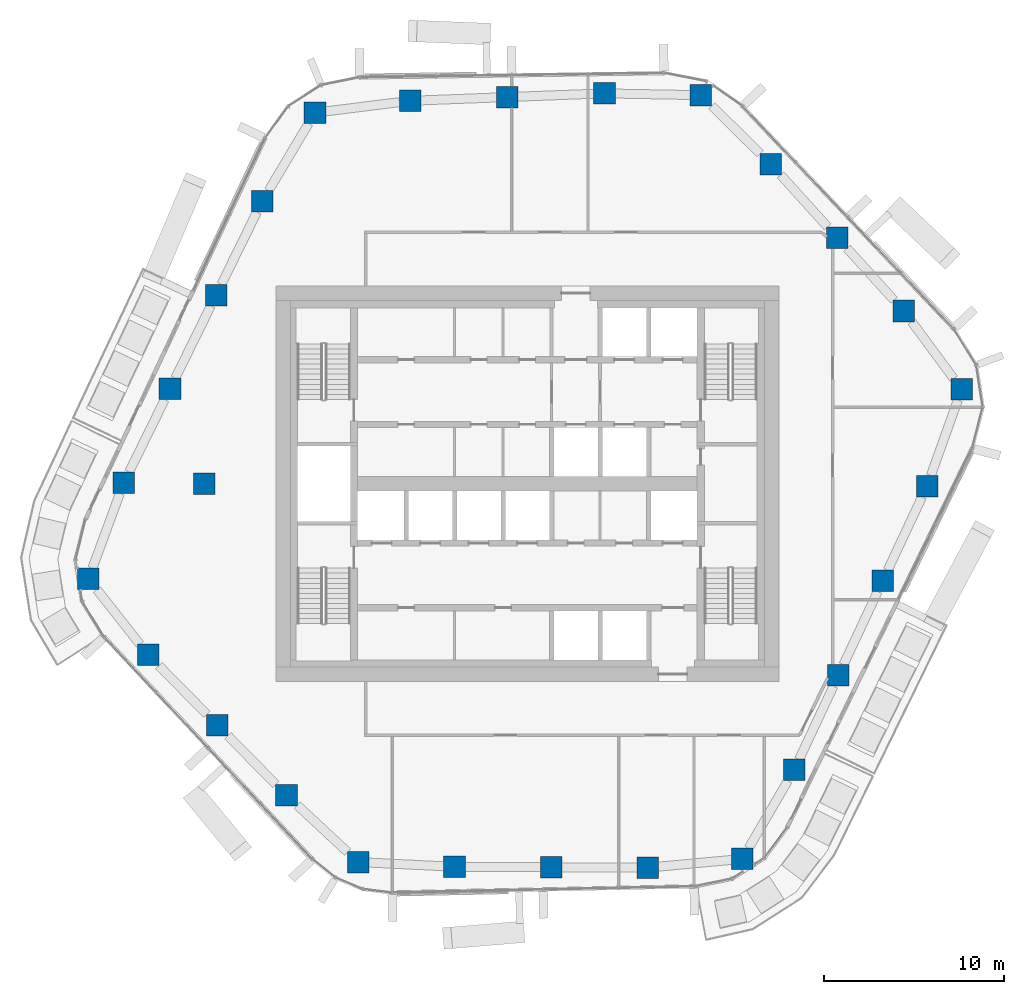
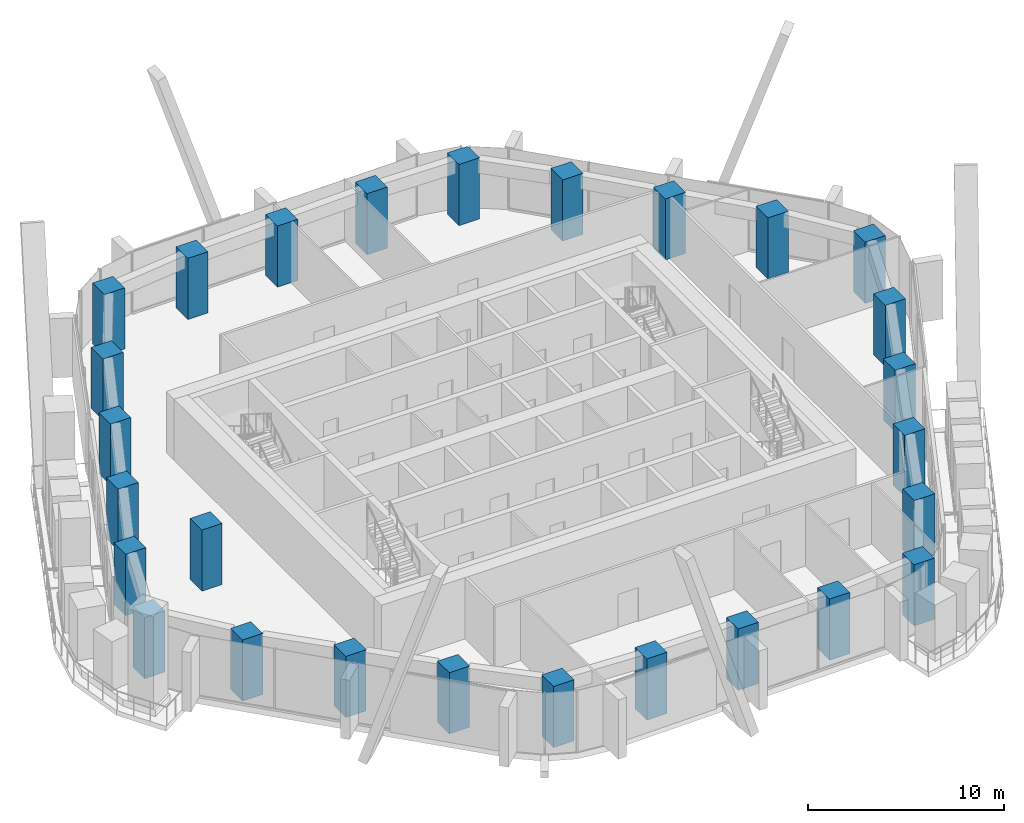
# One storey, part 1 of 18: 27 columns.
"""IFC4 building model written with IfcOpenShell, lengths in metres."""

from ifc_helpers import new_model, si_unit, direction, frame, origin, origin_2d, place, context, subcontext, project, spatial, rectangle, extrude, material, material_profile, profile_set, type_object, element, save


model = new_model("IFC4")

# Units and contexts
model_context = context("Model", 3, precision=1e-05, world=origin(), true_north=direction((0.0, 1.0)))
body_context = subcontext(model_context, "Body", "Model", "MODEL_VIEW")
ifc_project = project(units=[si_unit("LENGTHUNIT", "METRE"), si_unit("AREAUNIT", "SQUARE_METRE"), si_unit("VOLUMEUNIT", "CUBIC_METRE"), si_unit("PLANEANGLEUNIT", "RADIAN"), si_unit("MASSUNIT", "GRAM", prefix="KILO")], contexts=[model_context])

# Site, building, storey
site_placement = place(None, origin())
site = spatial("IfcSite", under=ifc_project, at=site_placement, CompositionType="ELEMENT")
building_placement = place(site_placement, origin())
building = spatial("IfcBuilding", under=site, at=building_placement, Name="Dongbaek Canopy Tower", CompositionType="ELEMENT")
storey_placement = place(building_placement, frame((0.0, 0.0, 167.0)))
storey = spatial("IfcBuildingStorey", under=building, at=storey_placement, Name="L36", CompositionType="ELEMENT", Elevation=167.0)

# Columns
ifc_material = material(Name="Concrete C70", Category="concrete")
ifc_material_profile = material_profile(ifc_material, rectangle(XDim=1.199951171875, YDim=1.199951171875, at=origin_2d()), Name="RC COLUMN 1200x1200 C70")
ifc_profile_set = profile_set([ifc_material_profile], Name="Concrete C70")
column_type = type_object("IfcColumnType", Name="RC COLUMN 1200x1200 C70", PredefinedType="COLUMN", material=ifc_profile_set)
for number, where, z_axis, x_axis, name in (
    (1, (11.971923828125, -20.885009765625, 0.0), (0.0, 0.0, 1.0), (1.0, 0.0, 0.0), "COL:CZ3-01:L36"),
    (2, (6.697998046875, -21.3720703125, 0.0), (0.0, 0.0, 1.0), (1.0, 0.0, 0.0), "COL:CZ3-02:L36"),
    (3, (1.321044921875, -21.347900390625, 0.0), (0.0, 0.0, 1.0), (1.0, 0.0, 0.0), "COL:CZ3-03:L36"),
    (4, (-4.054931640625, -21.323974609375, 0.0), (0.0, 0.0, 1.0), (1.0, 0.0, 0.0), "COL:CZ3-04:L36"),
    (5, (-9.407958984375, -21.06103515625, 0.0), (0.0, 0.0, 1.0), (1.0, 0.0, 0.0), "COL:CZ3-05:L36"),
    (6, (-13.409912109375, -17.339111328125, 0.0), (0.0, 0.0, 1.0), (1.0, 0.0, 0.0), "COL:CZ3-06:L36"),
    (7, (-17.258056640625, -13.431884765625, 0.0), (0.0, 0.0, 1.0), (1.0, 0.0, 0.0), "COL:CZ3-07:L36"),
    (8, (-21.10595703125, -9.52490234375, 0.0), (0.0, 0.0, 1.0), (1.0, 0.0, 0.0), "COL:CZ3-08:L36"),
    (9, (-24.43505859375, -5.2939453125, 0.0), (0.0, 0.0, 1.0), (1.0, 0.0, 0.0), "COL:CZ3-09:L36"),
    (10, (-22.4619140625, 0.06689453125, 0.0), (0.0, 0.0, 1.0), (1.0, 0.0, 0.0), "COL:CZ3-10:L36"),
    (11, (-19.89599609375, 5.287109375, 0.0), (0.0, 0.0, 1.0), (1.0, 0.0, 0.0), "COL:CZ3-11:L36"),
    (12, (-17.327880859375, 10.5048828125, 0.0), (0.0, 0.0, 1.0), (1.0, 0.0, 0.0), "COL:CZ3-12:L36"),
    (13, (-14.761962890625, 15.72412109375, 0.0), (0.0, 0.0, 1.0), (1.0, 0.0, 0.0), "COL:CZ3-13:L36"),
    (14, (-11.822998046875, 20.660888671875, 0.0), (0.0, 0.0, 1.0), (1.0, 0.0, 0.0), "COL:CZ3-14:L36"),
    (15, (-6.52197265625, 21.322998046875, 0.0), (0.0, 0.0, 1.0), (1.0, 0.0, 0.0), "COL:CZ3-15:L36"),
    (16, (-1.113037109375, 21.530029296875, 0.0), (0.0, 0.0, 1.0), (1.0, 0.0, 0.0), "COL:CZ3-16:L36"),
    (17, (4.294921875, 21.736083984375, 0.0), (0.0, 0.0, 1.0), (1.0, 0.0, 0.0), "COL:CZ3-17:L36"),
    (18, (9.666015625, 21.635009765625, 0.0), (0.0, 0.0, 1.0), (1.0, 0.0, 0.0), "COL:CZ3-18:L36"),
    (19, (13.56005859375, 17.7919921875, 0.0), (0.0, 0.0, 1.0), (1.0, 0.0, 0.0), "COL:CZ3-19:L36"),
    (20, (17.260986328125, 13.7060546875, 0.0), (0.0, 0.0, 1.0), (1.0, 0.0, 0.0), "COL:CZ3-20:L36"),
    (21, (20.9599609375, 9.62109375, 0.0), (0.0, 0.0, 1.0), (1.0, 0.0, 0.0), "COL:CZ3-21:L36"),
    (22, (24.179931640625, 5.257080078125, 0.0), (0.0, 0.0, 1.0), (1.0, 0.0, 0.0), "COL:CZ3-22:L36"),
    (23, (22.25390625, -0.134033203125, 0.0), (0.0, 0.0, 1.0), (1.0, 0.0, 0.0), "COL:CZ3-23:L36"),
    (24, (19.7880859375, -5.39892578125, 0.0), (0.0, 0.0, 1.0), (1.0, 0.0, 0.0), "COL:CZ3-24:L36"),
    (25, (17.322021484375, -10.666015625, 0.0), (0.0, 0.0, 1.0), (1.0, 0.0, 0.0), "COL:CZ3-25:L36"),
    (26, (14.85498046875, -15.931884765625, 0.0), (0.0, 0.0, 1.0), (1.0, 0.0, 0.0), "COL:CZ3-26:L36"),
    (27, (-18.0, 0.0, 0.0), (0.0, 0.0, 1.0), (1.0, 0.0, 0.0), "COL:CIZ3-01:L36"),
):
    element("IfcColumn", number, at=place(storey_placement, frame(where, z_axis=z_axis, x_axis=x_axis)), inside=storey, type_object=column_type, Name=name, PredefinedType="COLUMN", context=body_context, shape_type="SweptSolid", body=[
        extrude(rectangle(XDim=1.199951171875, YDim=1.199951171875, at=origin_2d()), origin(), (0.0, 0.0, 1.0), 3.820068359375),
    ])

save(model, "model.ifc")
